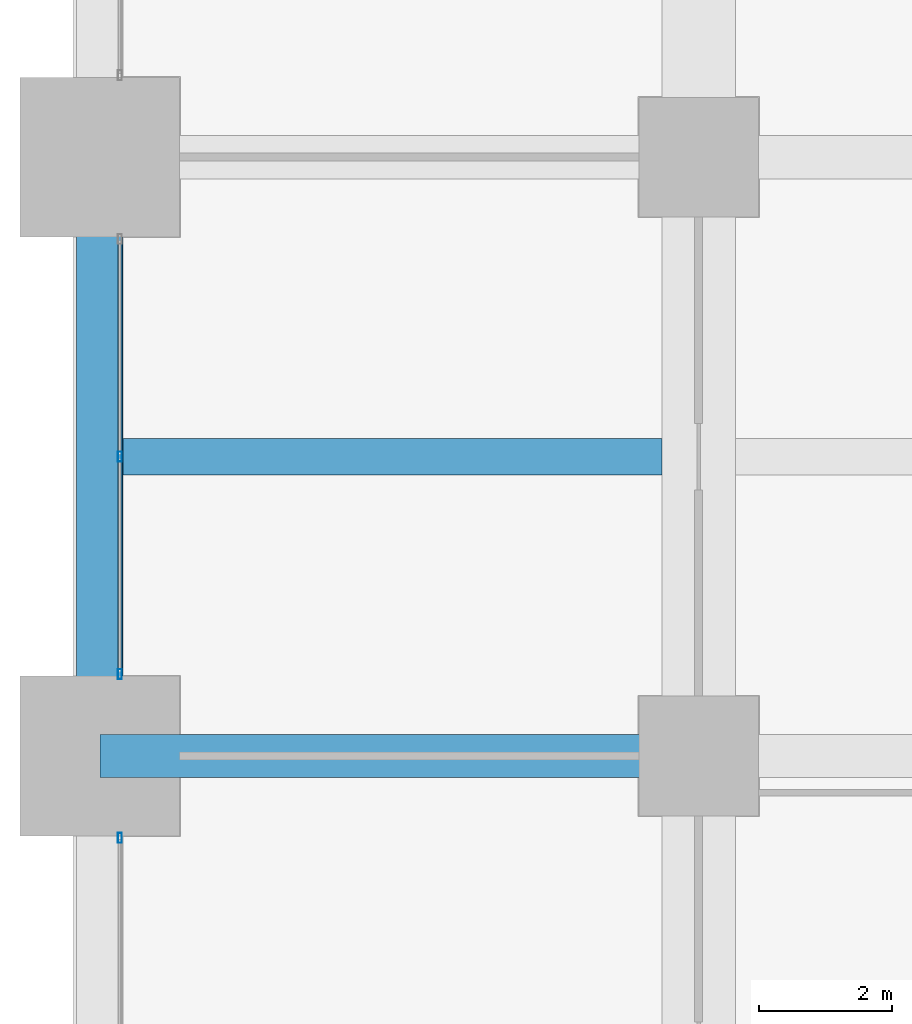
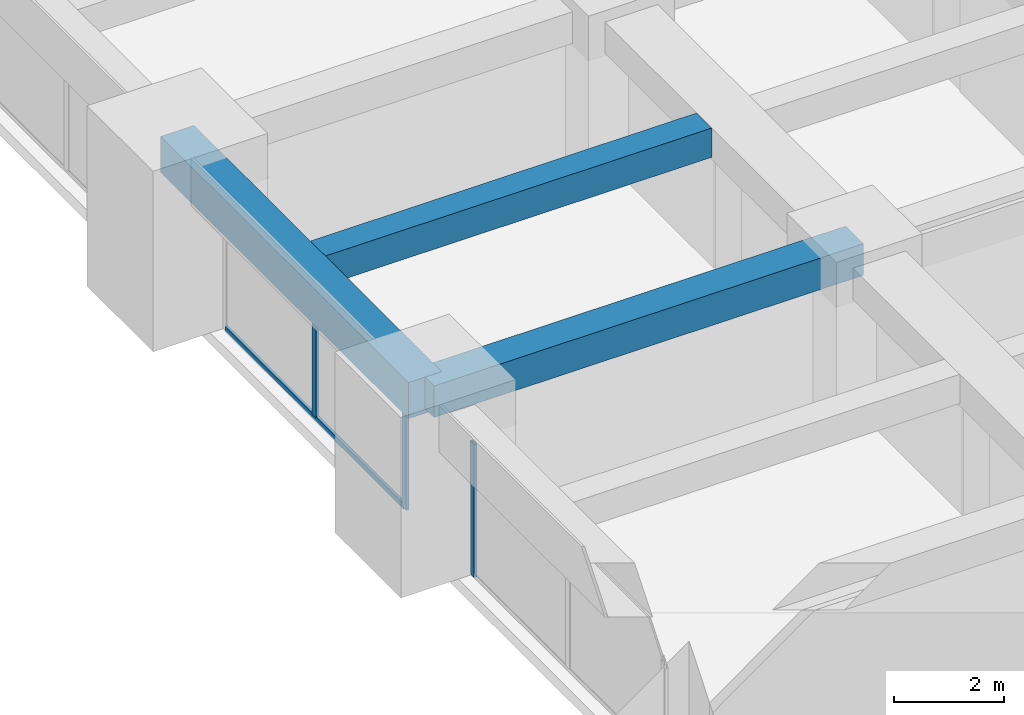
# One storey, part 9 of 40: 4 members, 3 beams, 2 elements without a shape of their own.
"""IFC4 building model written with IfcOpenShell, lengths in metres."""

from ifc_helpers import new_model, si_unit, direction, frame, origin, origin_2d, place, context, subcontext, project, spatial, rectangle, hollow_rectangle, extrude, material, material_profile, profile_set, type_object, element, aggregate, save


model = new_model("IFC4")

# Units and contexts
model_context = context("Model", 3, precision=1e-05, world=origin(), true_north=direction((0.0, 1.0)))
body_context = subcontext(model_context, "Body", "Model", "MODEL_VIEW")
ifc_project = project(units=[si_unit("LENGTHUNIT", "METRE"), si_unit("AREAUNIT", "SQUARE_METRE"), si_unit("VOLUMEUNIT", "CUBIC_METRE"), si_unit("PLANEANGLEUNIT", "RADIAN"), si_unit("MASSUNIT", "GRAM", prefix="KILO")], contexts=[model_context])

# Site, building, storey
site_placement = place(None, origin())
site = spatial("IfcSite", under=ifc_project, at=site_placement, CompositionType="ELEMENT")
building_placement = place(site_placement, origin())
building = spatial("IfcBuilding", under=site, at=building_placement, Name="Zorevar Civic Tower", CompositionType="ELEMENT")
storey_placement = place(building_placement, frame((0.0, 0.0, 129.0)))
storey = spatial("IfcBuildingStorey", under=building, at=storey_placement, Name="L31", CompositionType="ELEMENT", Elevation=129.0)

# Beams
ifc_material_1 = material(Name="Concrete C50/60", Category="concrete")
ifc_material_profile_1 = material_profile(ifc_material_1, rectangle(XDim=0.550048828125, YDim=0.64990234375, at=origin_2d()), Name="RC 550x650")
ifc_profile_set_1 = profile_set([ifc_material_profile_1], Name="Concrete C50/60")
beam_type_1 = type_object("IfcBeamType", Name="Beam RC 550x650", PredefinedType="BEAM", material=ifc_profile_set_1)
beam_1_placement = place(storey_placement, frame((0.35009765625, 22.5, 3.425048828125), z_axis=(1.0, 0.0, 0.0), x_axis=(0.0, 1.0, 0.0)))
element("IfcBeam", 1, at=beam_1_placement, inside=storey, type_object=beam_type_1, Name="Secondary beam L32", PredefinedType="BEAM", context=body_context, shape_type="SweptSolid", body=[
    extrude(rectangle(XDim=0.550048828125, YDim=0.64990234375, at=origin_2d()), origin(), (0.0, 0.0, 1.0), 8.099853515625),
])
ifc_material_2 = material(Name="Concrete C50/60", Category="concrete")
ifc_material_profile_2 = material_profile(ifc_material_2, rectangle(XDim=0.64990234375, YDim=0.699951171875, at=origin_2d()), Name="RC 650x700")
ifc_profile_set_2 = profile_set([ifc_material_profile_2], Name="Concrete C50/60")
beam_type_2 = type_object("IfcBeamType", Name="Beam RC 650x700", PredefinedType="BEAM", material=ifc_profile_set_2)
beam_2_placement = place(storey_placement, frame((0.0, 18.0, 3.39990234375), z_axis=(1.0, 0.0, 0.0), x_axis=(0.0, 1.0, 0.0)))
element("IfcBeam", 2, at=beam_2_placement, inside=storey, type_object=beam_type_2, Name="Girder L32", PredefinedType="BEAM", context=body_context, shape_type="SweptSolid", body=[
    extrude(rectangle(XDim=0.64990234375, YDim=0.699951171875, at=origin_2d()), origin(), (0.0, 0.0, 1.0), 9.0),
])

# Curtain wall, member
ifc_material_3 = material(Name="Dark grey solar-control glass in black aluminium frame", Category="aluminium")
curtain_wall_type = type_object("IfcCurtainWallType", Name="Curtain wall CW3 mid zone", PredefinedType="NOTDEFINED", material=ifc_material_3)
curtain_wall_1_placement = place(storey_placement, origin())
curtain_wall_1 = element("IfcCurtainWall", 3, at=curtain_wall_1_placement, inside=storey, type_object=curtain_wall_type, Name="CW3 L31", PredefinedType="NOTDEFINED")
ifc_material_4 = material(Name="Aluminium, black anodised", Category="aluminium")
ifc_material_profile_3 = material_profile(ifc_material_4, hollow_rectangle(XDim=0.06005859375, YDim=0.14990234375, WallThickness=0.00390625, at=origin_2d()), Name="AL 150x60x4")
ifc_profile_set_3 = profile_set([ifc_material_profile_3], Name="Aluminium, black anodised")
member_type_1 = type_object("IfcMemberType", Name="CW3 mullion AL 150x60x4", PredefinedType="MULLION", material=ifc_profile_set_3)
member_1_placement = place(storey_placement, frame((0.300048828125, 16.77001953125, 0.0), z_axis=(0.0, 0.0, 1.0), x_axis=(-1.0, 0.0, 0.0)))
member_1 = element("IfcMember", 4, at=member_1_placement, type_object=member_type_1, Name="CW3 mullion 3", PredefinedType="MULLION", context=body_context, shape_type="SweptSolid", body=[
    extrude(hollow_rectangle(XDim=0.06005859375, YDim=0.14990234375, WallThickness=0.00390625, at=origin_2d()), origin(), (0.0, 0.0, 1.0), 2.949951171875),
])
aggregate(curtain_wall_1, [member_1])

# Curtain wall, members
curtain_wall_2_placement = place(storey_placement, origin())
curtain_wall_2 = element("IfcCurtainWall", 5, at=curtain_wall_2_placement, inside=storey, type_object=curtain_wall_type, Name="CW3 L31", PredefinedType="NOTDEFINED")
member_2_placement = place(storey_placement, frame((0.300048828125, 19.22998046875, 0.0), z_axis=(0.0, 0.0, 1.0), x_axis=(-1.0, 0.0, 0.0)))
member_2 = element("IfcMember", 6, at=member_2_placement, type_object=member_type_1, Name="CW3 mullion 1", PredefinedType="MULLION", context=body_context, shape_type="SweptSolid", body=[
    extrude(hollow_rectangle(XDim=0.06005859375, YDim=0.14990234375, WallThickness=0.00390625, at=origin_2d()), origin(), (0.0, 0.0, 1.0), 2.949951171875),
])
member_3_placement = place(storey_placement, frame((0.300048828125, 22.5, 0.06005859375), z_axis=(0.0, 0.0, 1.0), x_axis=(-1.0, 0.0, 0.0)))
member_3 = element("IfcMember", 7, at=member_3_placement, type_object=member_type_1, Name="CW3 mullion 2", PredefinedType="MULLION", context=body_context, shape_type="SweptSolid", body=[
    extrude(hollow_rectangle(XDim=0.06005859375, YDim=0.14990234375, WallThickness=0.00390625, at=origin_2d()), origin(), (0.0, 0.0, 1.0), 2.889892578125),
])
ifc_material_5 = material(Name="Aluminium, black anodised", Category="aluminium")
ifc_material_profile_4 = material_profile(ifc_material_5, hollow_rectangle(XDim=0.06005859375, YDim=0.1201171875, WallThickness=0.0029296875, at=origin_2d()), Name="AL 120x60x3")
ifc_profile_set_4 = profile_set([ifc_material_profile_4], Name="Aluminium, black anodised")
member_type_2 = type_object("IfcMemberType", Name="CW3 transom AL 120x60x3", PredefinedType="USERDEFINED", material=ifc_profile_set_4)
member_4_placement = place(storey_placement, frame((0.300048828125, 19.260009765625, 0.030029296875), z_axis=(0.0, 1.0, 0.0), x_axis=(-1.0, 0.0, 0.0)))
member_4 = element("IfcMember", 8, at=member_4_placement, type_object=member_type_2, Name="CW3 sill transom", ObjectType="TRANSOM", PredefinedType="USERDEFINED", context=body_context, shape_type="SweptSolid", body=[
    extrude(hollow_rectangle(XDim=0.06005859375, YDim=0.1201171875, WallThickness=0.0029296875, at=origin_2d()), origin(), (0.0, 0.0, 1.0), 6.47998046875),
])
aggregate(curtain_wall_2, [member_2, member_3, member_4])

# Beam
ifc_material_6 = material(Name="Concrete C50/60", Category="concrete")
ifc_material_profile_5 = material_profile(ifc_material_6, rectangle(XDim=0.699951171875, YDim=0.800048828125, at=origin_2d()), Name="RC 700x800")
ifc_profile_set_5 = profile_set([ifc_material_profile_5], Name="Concrete C50/60")
beam_type_3 = type_object("IfcBeamType", Name="Edge beam RC 700x800", PredefinedType="SPANDREL", material=ifc_profile_set_5)
beam_3_placement = place(storey_placement, frame((0.0, 18.0, 3.35009765625), z_axis=(0.0, 1.0, 0.0), x_axis=(-1.0, 0.0, 0.0)))
element("IfcBeam", 9, at=beam_3_placement, inside=storey, type_object=beam_type_3, Name="Edge beam L32", PredefinedType="SPANDREL", context=body_context, shape_type="SweptSolid", body=[
    extrude(rectangle(XDim=0.699951171875, YDim=0.800048828125, at=origin_2d()), origin(), (0.0, 0.0, 1.0), 9.0),
])

save(model, "model.ifc")
